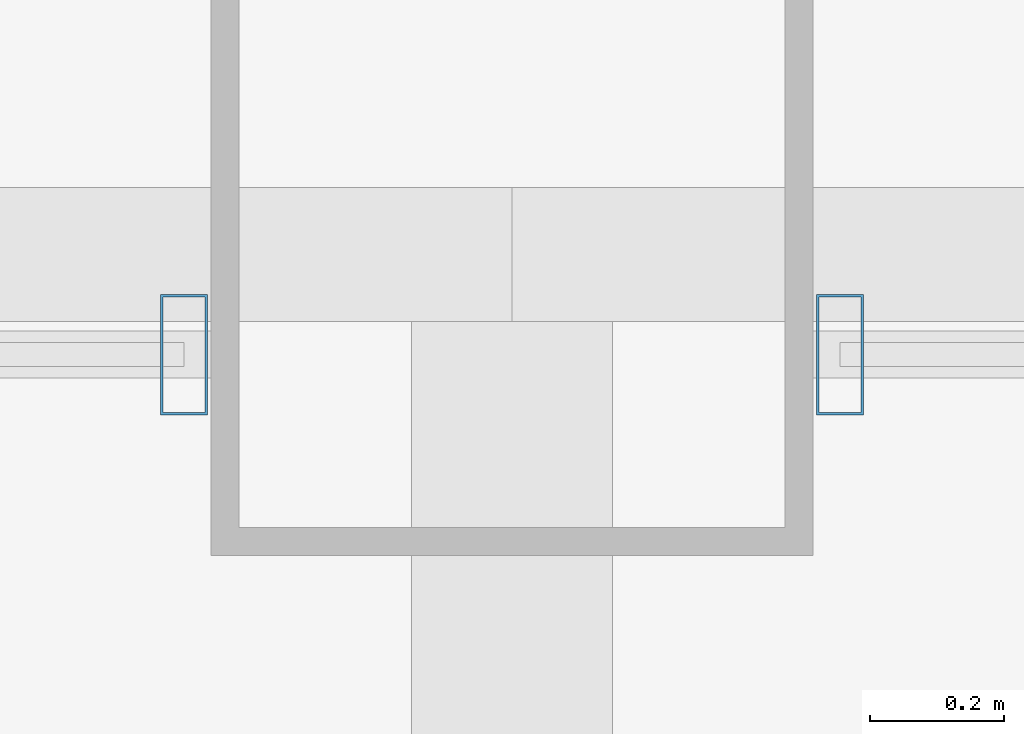
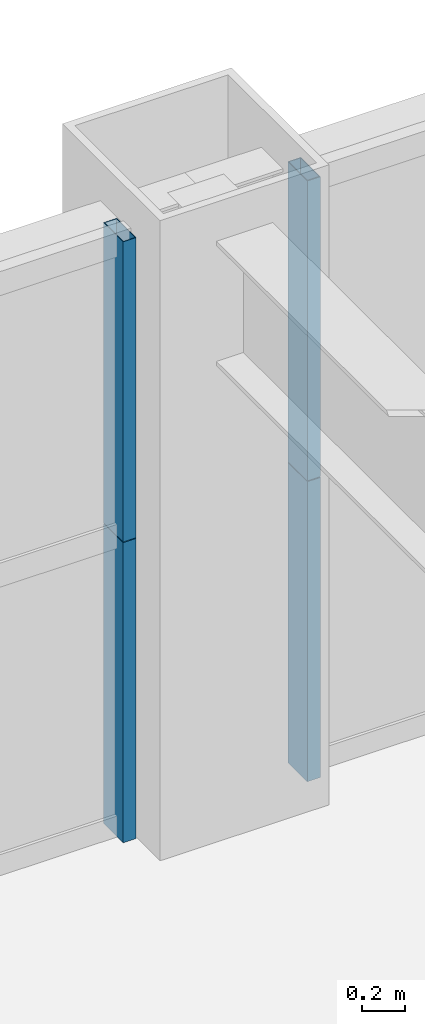
# One storey, part 27 of 39: 4 members, 2 elements without a shape of their own.
"""IFC4 building model written with IfcOpenShell, lengths in metres."""

from ifc_helpers import new_model, si_unit, direction, frame, origin, origin_2d, place, context, subcontext, project, spatial, hollow_rectangle, extrude, source, transform, mapped, material, layer, layer_set, material_profile, profile_set, type_object, element, aggregate, save


model = new_model("IFC4")

# Units and contexts
model_context = context("Model", 3, precision=1e-05, world=origin(), true_north=direction((0.0, 1.0)))
body_context = subcontext(model_context, "Body", "Model", "MODEL_VIEW")
ifc_project = project(units=[si_unit("LENGTHUNIT", "METRE"), si_unit("AREAUNIT", "SQUARE_METRE"), si_unit("VOLUMEUNIT", "CUBIC_METRE"), si_unit("PLANEANGLEUNIT", "RADIAN"), si_unit("MASSUNIT", "GRAM", prefix="KILO"), si_unit("THERMODYNAMICTEMPERATUREUNIT", "KELVIN"), si_unit("POWERUNIT", "WATT")], contexts=[model_context])

# Site, building, storey
site_placement = place(None, origin())
site = spatial("IfcSite", under=ifc_project, at=site_placement, CompositionType="ELEMENT")
building_placement = place(site_placement, origin())
building = spatial("IfcBuilding", under=site, at=building_placement, Name="Yuzanri Waterfront Tower", CompositionType="ELEMENT")
storey_placement = place(building_placement, frame((0.0, 0.0, 148.800048828125)))
storey = spatial("IfcBuildingStorey", under=building, at=storey_placement, Name="L39", CompositionType="ELEMENT", Elevation=148.800048828125)

# Curtain wall, members
ifc_material_1 = material(Name="Anodized Architectural Bronze", Category="metal")
ifc_layer = layer(ifc_material_1, 0.159912109375)
ifc_layer_set = layer_set([ifc_layer], Name="Anodized Architectural Bronze")
curtain_wall_type = type_object("IfcCurtainWallType", Name="Anodized Bronze Hotel Upper-Tier Solar-Control Unitized Curtain Wall 7800", PredefinedType="NOTDEFINED", material=ifc_layer_set)
curtain_wall_1_placement = place(storey_placement, origin())
curtain_wall_1 = element("IfcCurtainWall", 1, at=curtain_wall_1_placement, inside=storey, type_object=curtain_wall_type, Name="L39 Curtain Wall CW-L39-NL", PredefinedType="NOTDEFINED")
ifc_material_2 = material(Name="Anodized Architectural Bronze", Category="metal")
ifc_material_profile = material_profile(ifc_material_2, hollow_rectangle(XDim=0.070068359375, YDim=0.179931640625, WallThickness=0.00390625, at=origin_2d()), Name="CWM 70x180")
ifc_profile_set = profile_set([ifc_material_profile], Name="Anodized Architectural Bronze")
member_type = type_object("IfcMemberType", Name="Anodized Bronze Standard Curtain-Wall Mullion 70x180", PredefinedType="MULLION", material=ifc_profile_set)
shared_shape = source(origin(), body_context, "Body", "SweptSolid", [
    extrude(hollow_rectangle(XDim=0.070068359375, YDim=0.179931640625, WallThickness=0.00390625, at=origin_2d()), origin(), (0.0, 0.0, 1.0), 1.68798828125),
])
member_1_placement = place(storey_placement, frame((36.510009765625, 49.25, 0.0), z_axis=(0.0, 0.0, 1.0), x_axis=(1.0, 0.0, 0.0)))
member_1 = element("IfcMember", 2, at=member_1_placement, type_object=member_type, Name="CW-L39-NL Lower Mullion 02", PredefinedType="MULLION", context=body_context, shape_type="MappedRepresentation", body=[
    mapped(shared_shape, transform((0.0, 0.0, 0.0), scale=1.0)),
])
member_2_placement = place(storey_placement, frame((36.510009765625, 49.25, 1.69189453125), z_axis=(0.0, 0.0, 1.0), x_axis=(1.0, 0.0, 0.0)))
member_2 = element("IfcMember", 3, at=member_2_placement, type_object=member_type, Name="CW-L39-NL Upper Mullion 02", PredefinedType="MULLION", context=body_context, shape_type="MappedRepresentation", body=[
    mapped(shared_shape, transform((0.0, 0.0, 0.0), scale=1.0)),
])
aggregate(curtain_wall_1, [member_1, member_2])

curtain_wall_2_placement = place(storey_placement, origin())
curtain_wall_2 = element("IfcCurtainWall", 4, at=curtain_wall_2_placement, inside=storey, type_object=curtain_wall_type, Name="L39 Curtain Wall CW-L39-NR", PredefinedType="NOTDEFINED")
member_3_placement = place(storey_placement, frame((37.489990234375, 49.25, 0.0), z_axis=(0.0, 0.0, 1.0), x_axis=(1.0, 0.0, 0.0)))
member_3 = element("IfcMember", 5, at=member_3_placement, type_object=member_type, Name="CW-L39-NR Lower Mullion 00", PredefinedType="MULLION", context=body_context, shape_type="MappedRepresentation", body=[
    mapped(shared_shape, transform((0.0, 0.0, 0.0), scale=1.0)),
])
member_4_placement = place(storey_placement, frame((37.489990234375, 49.25, 1.69189453125), z_axis=(0.0, 0.0, 1.0), x_axis=(1.0, 0.0, 0.0)))
member_4 = element("IfcMember", 6, at=member_4_placement, type_object=member_type, Name="CW-L39-NR Upper Mullion 00", PredefinedType="MULLION", context=body_context, shape_type="MappedRepresentation", body=[
    mapped(shared_shape, transform((0.0, 0.0, 0.0), scale=1.0)),
])
aggregate(curtain_wall_2, [member_3, member_4])

save(model, "model.ifc")
